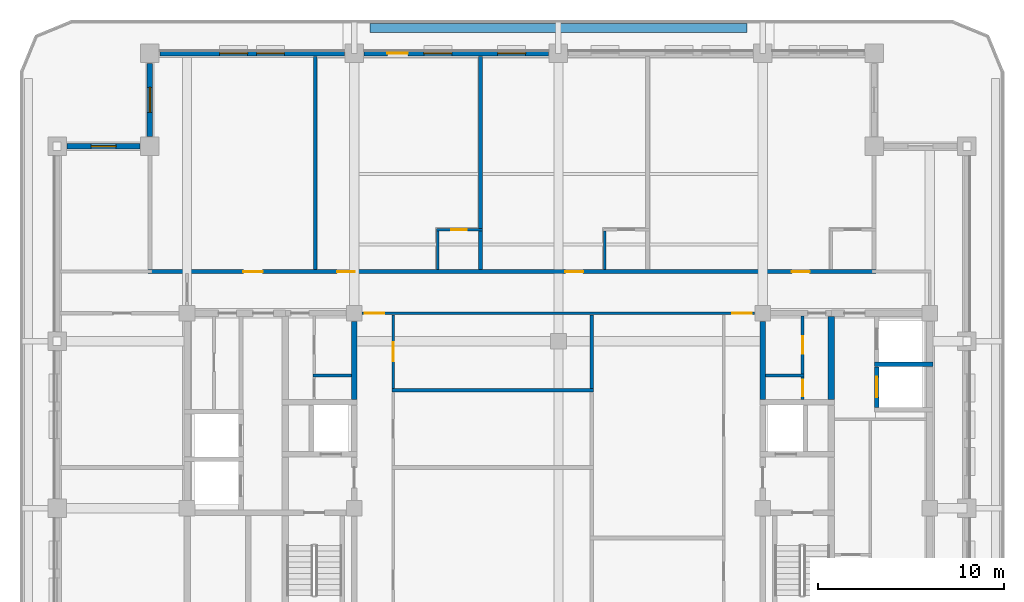
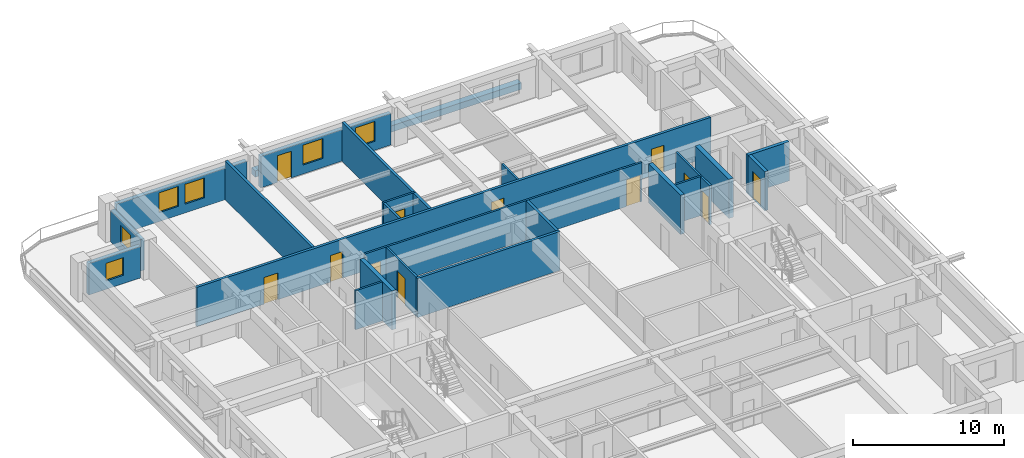
# One storey, part 6 of 14: 25 walls, 12 doors, 6 windows, 18 openings.
"""IFC4 building model written with IfcOpenShell, lengths in metres."""

import ifcopenshell
import ifcopenshell.guid

model = None  # the IFC model being written
_history = None  # IfcOwnerHistory: only IFC2X3 demands one
_inside = {}  # id of a spatial element -> (the spatial element, [elements in it])
_under = {}  # id of a project, library or spatial element -> (it, [spatial elements below it])
_declared = {}  # id of a project -> (the project, [libraries it declares])
_typed = {}  # id of a type object -> (the type object, [elements of that type])
_made_of = {}  # id of a material, layer set ... -> (it, [elements and type objects made of it])


def new_model(schema):
    """Start an empty IFC model of exactly this schema.

    Asked for "IFC4X3", IfcOpenShell would pick the latest addendum, in which some entities
    have other attributes; the version numbers below select the first issue.
    IFC2X3 requires an IfcOwnerHistory on every rooted entity: one is made here for all.
    """
    global model, _history
    if schema == "IFC4X3":
        model = ifcopenshell.file(schema_version=(4, 3, 0, 0))
    else:
        model = ifcopenshell.file(schema=schema)
    _inside.clear()
    _under.clear()
    _declared.clear()
    _typed.clear()
    _made_of.clear()
    _history = None
    if model.schema == "IFC2X3":
        org = make("IfcOrganization", Name="unknown")
        user = make(
            "IfcPersonAndOrganization",
            ThePerson=make("IfcPerson", FamilyName="unknown"),
            TheOrganization=org,
        )
        app = make(
            "IfcApplication",
            ApplicationDeveloper=org,
            Version="unknown",
            ApplicationFullName="unknown",
            ApplicationIdentifier="unknown",
        )
        _history = make(
            "IfcOwnerHistory",
            OwningUser=user,
            OwningApplication=app,
            ChangeAction="ADDED",
            CreationDate=0,
        )
    return model


def make(cls, **values):
    """One entity of the class cls with the attributes given. An attribute that is None is left unset."""
    return model.create_entity(
        cls, **{name: value for name, value in values.items() if value is not None}
    )


def rooted(cls, **values):
    """An entity with a GlobalId (a new one), such as an element, a storey or a relation."""
    return make(cls, GlobalId=ifcopenshell.guid.new(), OwnerHistory=_history, **values)


def si_unit(unit_type, name, prefix=None):
    """IfcSIUnit, for example si_unit("LENGTHUNIT", "METRE", prefix="MILLI")."""
    return make("IfcSIUnit", UnitType=unit_type, Prefix=prefix, Name=name)


def assignment(units):
    """IfcUnitAssignment: the units of a project."""
    return None if units is None else make("IfcUnitAssignment", Units=units)


def point(xyz):
    """IfcCartesianPoint."""
    return None if xyz is None else make("IfcCartesianPoint", Coordinates=xyz)


def direction(xyz):
    """IfcDirection."""
    return None if xyz is None else make("IfcDirection", DirectionRatios=xyz)


def frame(location, z_axis=None, x_axis=None):
    """IfcAxis2Placement3D, a coordinate frame: its origin and axes. An axis left out is left unset."""
    return make(
        "IfcAxis2Placement3D",
        Location=point(location),
        Axis=direction(z_axis),
        RefDirection=direction(x_axis),
    )


def frame_2d(location, x_axis=None):
    """IfcAxis2Placement2D, a coordinate frame in the plane: its origin and x axis."""
    return make(
        "IfcAxis2Placement2D", Location=point(location), RefDirection=direction(x_axis)
    )


def origin():
    """The frame at (0, 0, 0) with its axes left unset."""
    return frame((0.0, 0.0, 0.0))


def place(relative_to, where):
    """IfcLocalPlacement: puts the frame where relative to a parent placement (None: the world)."""
    return make(
        "IfcLocalPlacement", PlacementRelTo=relative_to, RelativePlacement=where
    )


def context(
    kind, dimensions, precision=None, world=None, true_north=None, identifier=None
):
    """IfcGeometricRepresentationContext, for example the 3D "Model" context."""
    return make(
        "IfcGeometricRepresentationContext",
        ContextIdentifier=identifier,
        ContextType=kind,
        CoordinateSpaceDimension=dimensions,
        Precision=precision,
        WorldCoordinateSystem=world,
        TrueNorth=true_north,
    )


def subcontext(parent, identifier, kind, view, scale=None):
    """IfcGeometricRepresentationSubContext, for example "Body" below "Model"."""
    return make(
        "IfcGeometricRepresentationSubContext",
        ContextIdentifier=identifier,
        ContextType=kind,
        ParentContext=parent,
        TargetScale=scale,
        TargetView=view,
    )


def project(units=None, contexts=None):
    """IfcProject with its units and contexts."""
    return rooted(
        "IfcProject",
        Name="project",
        RepresentationContexts=contexts,
        UnitsInContext=assignment(units),
    )


def spatial(cls, under=None, at=None, **own):
    """A site, building, storey or space (cls), placed at a placement, below another one or the project."""
    s = rooted(cls, ObjectPlacement=at, **own)
    if under is not None:
        _under.setdefault(under.id(), (under, []))[1].append(s)
    return s


def profile(cls, at=None, kind="AREA", **sizes):
    """A parametric profile (cls). Its sizes go by their IFC names, for example OverallWidth=200.0."""
    return make(cls, ProfileType=kind, Position=at, **sizes)


def rectangle(**sizes):
    """IfcRectangleProfileDef."""
    return profile("IfcRectangleProfileDef", **sizes)


def extrude(swept, where, along, depth):
    """IfcExtrudedAreaSolid: the profile swept, set in the frame where, extruded along a direction by depth."""
    return make(
        "IfcExtrudedAreaSolid",
        SweptArea=swept,
        Position=where,
        ExtrudedDirection=direction(along),
        Depth=depth,
    )


def shape(context_of_items, identifier, shape_type, items):
    """IfcShapeRepresentation: the items that make up one representation, for example the "Body"."""
    return make(
        "IfcShapeRepresentation",
        ContextOfItems=context_of_items,
        RepresentationIdentifier=identifier,
        RepresentationType=shape_type,
        Items=items,
    )


def material(Name=None, Category=None):
    """IfcMaterial."""
    return make("IfcMaterial", Name=Name, Category=Category)


def layer(
    of_material, thickness, ventilated=None, Name=None, Category=None, Priority=None
):
    """IfcMaterialLayer: one layer of a wall or slab, of a material (None: an air gap)."""
    return make(
        "IfcMaterialLayer",
        Material=of_material,
        LayerThickness=thickness,
        IsVentilated=ventilated,
        Name=Name,
        Category=Category,
        Priority=Priority,
    )


def layer_set(layers, Name=None):
    """IfcMaterialLayerSet."""
    return make("IfcMaterialLayerSet", MaterialLayers=layers, LayerSetName=Name)


def made_of(thing, what):
    """Note that an element or type object is made of a material, layer set ...; save() writes the relation."""
    if what is not None:
        _made_of.setdefault(what.id(), (what, []))[1].append(thing)
    return thing


def type_object(cls, material=None, **own):
    """A type object (cls), such as IfcWallType, which elements share."""
    return made_of(rooted(cls, **own), material)


def element(
    cls,
    number,
    at=None,
    inside=None,
    cuts=None,
    type_object=None,
    material=None,
    context=None,
    identifier="Body",
    shape_type=None,
    held_by="IfcProductDefinitionShape",
    body=None,
    shapes=None,
    **own,
):
    """One element of the class cls, such as IfcWall. Its Tag is "e" and its number.

    at: its placement. inside: the storey or other place that contains it. cuts: it is an
    opening in that element (IfcRelVoidsElement). A single representation is given by context,
    identifier, shape_type and body (its items); several are given by shapes. held_by: the class
    of the entity that holds the representations. save() writes the other relations.
    """
    e = rooted(cls, Tag="e%d" % number, ObjectPlacement=at, **own)
    if body is not None:
        shapes = [shape(context, identifier, shape_type, body)]
    if shapes is not None:
        e.Representation = make(held_by, Representations=shapes)
    if inside is not None:
        _inside.setdefault(inside.id(), (inside, []))[1].append(e)
    if cuts is not None:
        rooted(
            "IfcRelVoidsElement", RelatingBuildingElement=cuts, RelatedOpeningElement=e
        )
    if type_object is not None:
        _typed.setdefault(type_object.id(), (type_object, []))[1].append(e)
    return made_of(e, material)


def fill(opening, filler):
    """IfcRelFillsElement: the door or window that sits in an opening."""
    return rooted(
        "IfcRelFillsElement",
        RelatingOpeningElement=opening,
        RelatedBuildingElement=filler,
    )


def aggregate(whole, parts):
    """IfcRelAggregates: a whole, such as a stair, and the parts it consists of."""
    return rooted("IfcRelAggregates", RelatingObject=whole, RelatedObjects=parts)


def save(model, path):
    """Write the relations noted so far, then the file.

    IfcRelAggregates (storeys below a building ...), IfcRelContainedInSpatialStructure (elements
    in a storey), IfcRelDefinesByType, IfcRelAssociatesMaterial and IfcRelDeclares: one each for
    every whole, place, type object, material and project.
    """
    for whole, parts in _under.values():
        aggregate(whole, parts)
    for where, things in _inside.values():
        rooted(
            "IfcRelContainedInSpatialStructure",
            RelatedElements=things,
            RelatingStructure=where,
        )
    for kind, things in _typed.values():
        rooted("IfcRelDefinesByType", RelatedObjects=things, RelatingType=kind)
    for what, things in _made_of.values():
        rooted("IfcRelAssociatesMaterial", RelatedObjects=things, RelatingMaterial=what)
    for by, libraries in _declared.values():
        rooted("IfcRelDeclares", RelatingContext=by, RelatedDefinitions=libraries)
    model.write(path)


model = new_model("IFC4")

# Units and contexts
model_context = context("Model", 3, precision=1e-05, world=origin(), true_north=direction((0.0, 1.0)))
body_context = subcontext(model_context, "Body", "Model", "MODEL_VIEW")
ifc_project = project(units=[si_unit("LENGTHUNIT", "METRE"), si_unit("AREAUNIT", "SQUARE_METRE"), si_unit("VOLUMEUNIT", "CUBIC_METRE"), si_unit("PLANEANGLEUNIT", "RADIAN"), si_unit("MASSUNIT", "GRAM", prefix="KILO")], contexts=[model_context])

# Site, building, storey
site_placement = place(None, origin())
site = spatial("IfcSite", under=ifc_project, at=site_placement, CompositionType="ELEMENT")
building_placement = place(site_placement, origin())
building = spatial("IfcBuilding", under=site, at=building_placement, Name="Zulmaris Gate Convention Tower", CompositionType="ELEMENT")
storey_placement = place(building_placement, frame((0.0, 0.0, 205.06005859375)))
storey = spatial("IfcBuildingStorey", under=building, at=storey_placement, Name="L53", CompositionType="ELEMENT", Elevation=205.06005859375)

# Wall
ifc_material_1 = material(Name="Concrete C50/60", Category="concrete")
ifc_layer_1 = layer(ifc_material_1, 0.25, Name="Concrete C50/60")
ifc_layer_set_1 = layer_set([ifc_layer_1], Name="Concrete C50/60")
wall_type_1 = type_object("IfcWallType", Name="CORE-250", PredefinedType="SOLIDWALL", material=ifc_layer_set_1)
wall_1_placement = place(storey_placement, frame((17.02490234375, 7.75, 0.0), z_axis=(0.0, 0.0, 1.0), x_axis=(1.0, 0.0, 0.0)))
element("IfcWall", 1, at=wall_1_placement, inside=storey, type_object=wall_type_1, Name="WL-L53-014", PredefinedType="SOLIDWALL", context=body_context, shape_type="SweptSolid", body=[
    extrude(rectangle(XDim=3.150146484375, YDim=0.25, at=frame_2d((1.5751953125, 0.0))), origin(), (0.0, 0.0, 1.0), 3.14990234375),
])

# Wall, opening, door
wall_2_placement = place(storey_placement, frame((17.14990234375, 5.427001953125, 0.0), z_axis=(0.0, 0.0, 1.0), x_axis=(0.0, 1.0, 0.0)))
wall_2 = element("IfcWall", 2, at=wall_2_placement, inside=storey, type_object=wall_type_1, Name="WL-L53-072", PredefinedType="SOLIDWALL", context=body_context, shape_type="SweptSolid", body=[
    extrude(rectangle(XDim=2.196044921875, YDim=0.25, at=frame_2d((1.09814453125, 0.0))), origin(), (0.0, 0.0, 1.0), 3.14990234375),
])
opening_1_placement = place(wall_2_placement, frame((0.548095703125, 0.0, 0.0)))
opening_1 = element("IfcOpeningElement", 3, at=opening_1_placement, cuts=wall_2, Name="Opening D-06", PredefinedType="OPENING", context=body_context, shape_type="SweptSolid", body=[
    extrude(rectangle(XDim=1.10009765625, YDim=2.199951171875, at=frame_2d((0.550048828125, 1.10009765625))), frame((0.0, 0.135009765625, 0.0), z_axis=(0.0, -1.0, 0.0), x_axis=(1.0, 0.0, 0.0)), (0.0, 0.0, 1.0), 0.27001953125),
])
ifc_material_2 = material(Name="Brushed Stainless Steel", Category="steel")
door_type_1 = type_object("IfcDoorType", Name="LD-1100", OperationType="NOTDEFINED", PredefinedType="DOOR", material=ifc_material_2)
door_1_placement = place(opening_1_placement, origin())
door_1 = element("IfcDoor", 4, at=door_1_placement, inside=storey, type_object=door_type_1, Name="L53 Lift Landing Door HP-01 19", OperationType="SLIDING_TO_RIGHT", OverallHeight=2.199951171875, OverallWidth=1.10009765625, PredefinedType="DOOR", context=body_context, shape_type="SweptSolid", body=[
    extrude(rectangle(XDim=1.10009765625, YDim=2.199951171875, at=frame_2d((0.550048828125, 1.10009765625))), frame((0.0, 0.02490234375, 0.0), z_axis=(0.0, -1.0, 0.0), x_axis=(1.0, 0.0, 0.0)), (0.0, 0.0, 1.0), 0.050048828125),
])
fill(opening_1, door_1)

# Walls
ifc_layer_2 = layer(ifc_material_1, 0.300048828125, Name="Concrete C50/60")
ifc_layer_set_2 = layer_set([ifc_layer_2], Name="Concrete C50/60")
wall_type_2 = type_object("IfcWallType", Name="CORE-300", PredefinedType="SHEAR", material=ifc_layer_set_2)
for number, where, z_axis, x_axis, name in (
    (5, (-11.0, 5.85205078125, 0.0), (0.0, 0.0, 1.0), (0.0, 1.0, 0.0), "WL-L53-061"),
    (6, (11.0, 5.85205078125, 0.0), (0.0, 0.0, 1.0), (0.0, 1.0, 0.0), "WL-L53-065"),
):
    element("IfcWall", number, at=place(storey_placement, frame(where, z_axis=z_axis, x_axis=x_axis)), inside=storey, type_object=wall_type_2, Name=name, PredefinedType="SHEAR", context=body_context, shape_type="SweptSolid", body=[
        extrude(rectangle(XDim=4.218994140625, YDim=0.300048828125, at=frame_2d((2.109375, 0.0))), origin(), (0.0, 0.0, 1.0), 3.14990234375),
    ])
ifc_material_3 = material(Name="Concrete C55/67", Category="concrete")
ifc_layer_3 = layer(ifc_material_3, 0.35009765625, Name="Concrete C55/67")
ifc_layer_set_3 = layer_set([ifc_layer_3], Name="Concrete C55/67")
wall_type_3 = type_object("IfcWallType", Name="CORE-350", PredefinedType="SHEAR", material=ifc_layer_set_3)
wall_3_placement = place(storey_placement, frame((14.699951171875, 5.85205078125, 0.0), z_axis=(0.0, 0.0, 1.0), x_axis=(0.0, 1.0, 0.0)))
element("IfcWall", 7, at=wall_3_placement, inside=storey, type_object=wall_type_3, Name="WL-L53-071", PredefinedType="SHEAR", context=body_context, shape_type="SweptSolid", body=[
    extrude(rectangle(XDim=4.470947265625, YDim=0.35009765625, at=frame_2d((2.2353515625, 0.0))), origin(), (0.0, 0.0, 1.0), 3.14990234375),
])
ifc_material_4 = material(Name="Gypsum Metal Stud Partition")
ifc_layer_4 = layer(ifc_material_4, 0.14990234375, Name="Gypsum Metal Stud Partition")
ifc_layer_set_4 = layer_set([ifc_layer_4], Name="Gypsum Metal Stud Partition")
wall_type_4 = type_object("IfcWallType", Name="PART-150", PredefinedType="PARTITIONING", material=ifc_layer_set_4)
for number, where, z_axis, x_axis, name in (
    (8, (-13.22509765625, 7.14990234375, 0.0), (0.0, 0.0, 1.0), (1.0, 0.0, 0.0), "WL-L53-035"),
    (9, (11.153076171875, 7.14990234375, 0.0), (0.0, 0.0, 1.0), (1.0, 0.0, 0.0), "WL-L53-036"),
):
    element("IfcWall", number, at=place(storey_placement, frame(where, z_axis=z_axis, x_axis=x_axis)), inside=storey, type_object=wall_type_4, Name=name, PredefinedType="PARTITIONING", context=body_context, shape_type="SweptSolid", body=[
        extrude(rectangle(XDim=2.072021484375, YDim=0.14990234375, at=frame_2d((1.0361328125, 0.0))), origin(), (0.0, 0.0, 1.0), 3.14990234375),
    ])

# Wall, openings, doors
wall_4_placement = place(storey_placement, frame((-10.569091796875, 10.5, 0.0), z_axis=(0.0, 0.0, 1.0), x_axis=(1.0, 0.0, 0.0)))
wall_4 = element("IfcWall", 10, at=wall_4_placement, inside=storey, type_object=wall_type_4, Name="WL-L53-038", PredefinedType="PARTITIONING", context=body_context, shape_type="SweptSolid", body=[
    extrude(rectangle(XDim=21.13818359375, YDim=0.14990234375, at=frame_2d((10.569091796875, 0.0))), origin(), (0.0, 0.0, 1.0), 3.14990234375),
])
opening_2_placement = place(wall_4_placement, frame((0.14990234375, 0.0, 0.0)))
opening_2 = element("IfcOpeningElement", 11, at=opening_2_placement, cuts=wall_4, Name="Opening D-09", PredefinedType="OPENING", context=body_context, shape_type="SweptSolid", body=[
    extrude(rectangle(XDim=1.050048828125, YDim=2.14990234375, at=frame_2d((0.52490234375, 1.074951171875))), frame((0.0, 0.0849609375, 0.0), z_axis=(0.0, -1.0, 0.0), x_axis=(1.0, 0.0, 0.0)), (0.0, 0.0, 1.0), 0.169921875),
])
opening_3_placement = place(wall_4_placement, frame((19.93798828125, 0.0, 0.0)))
opening_3 = element("IfcOpeningElement", 12, at=opening_3_placement, cuts=wall_4, Name="Opening D-09", PredefinedType="OPENING", context=body_context, shape_type="SweptSolid", body=[
    extrude(rectangle(XDim=1.050048828125, YDim=2.14990234375, at=frame_2d((0.52490234375, 1.074951171875))), frame((0.0, 0.0849609375, 0.0), z_axis=(0.0, -1.0, 0.0), x_axis=(1.0, 0.0, 0.0)), (0.0, 0.0, 1.0), 0.169921875),
])
ifc_material_5 = material(Name="Fire-Rated Steel", Category="steel")
door_type_2 = type_object("IfcDoorType", Name="DR-1050-FD", OperationType="NOTDEFINED", PredefinedType="DOOR", material=ifc_material_5)
door_2_placement = place(opening_2_placement, origin())
door_2 = element("IfcDoor", 13, at=door_2_placement, inside=storey, type_object=door_type_2, Name="L53 NW Hotel Loop Door 25", OperationType="SINGLE_SWING_RIGHT", OverallHeight=2.14990234375, OverallWidth=1.050048828125, PredefinedType="DOOR", context=body_context, shape_type="SweptSolid", body=[
    extrude(rectangle(XDim=1.050048828125, YDim=2.14990234375, at=frame_2d((0.52490234375, 1.074951171875))), frame((0.0, 0.02490234375, 0.0), z_axis=(0.0, -1.0, 0.0), x_axis=(1.0, 0.0, 0.0)), (0.0, 0.0, 1.0), 0.050048828125),
])
fill(opening_2, door_2)
door_3_placement = place(opening_3_placement, origin())
door_3 = element("IfcDoor", 14, at=door_3_placement, inside=storey, type_object=door_type_2, Name="L53 NE Hotel Loop Door 27", OperationType="SINGLE_SWING_RIGHT", OverallHeight=2.14990234375, OverallWidth=1.050048828125, PredefinedType="DOOR", context=body_context, shape_type="SweptSolid", body=[
    extrude(rectangle(XDim=1.050048828125, YDim=2.14990234375, at=frame_2d((0.52490234375, 1.074951171875))), frame((0.0, 0.02490234375, 0.0), z_axis=(0.0, -1.0, 0.0), x_axis=(1.0, 0.0, 0.0)), (0.0, 0.0, 1.0), 0.050048828125),
])
fill(opening_3, door_3)

# Wall, opening, door
wall_5_placement = place(storey_placement, frame((-6.574951171875, 15.0, 0.0), z_axis=(0.0, 0.0, 1.0), x_axis=(1.0, 0.0, 0.0)))
wall_5 = element("IfcWall", 15, at=wall_5_placement, inside=storey, type_object=wall_type_4, Name="WL-L53-042", PredefinedType="PARTITIONING", context=body_context, shape_type="SweptSolid", body=[
    extrude(rectangle(XDim=2.474853515625, YDim=0.14990234375, at=frame_2d((1.2373046875, 0.0))), origin(), (0.0, 0.0, 1.0), 3.14990234375),
])
opening_4_placement = place(wall_5_placement, frame((0.800048828125, 0.0, 0.0)))
opening_4 = element("IfcOpeningElement", 16, at=opening_4_placement, cuts=wall_5, Name="Opening D-17", PredefinedType="OPENING", context=body_context, shape_type="SweptSolid", body=[
    extrude(rectangle(XDim=0.85009765625, YDim=2.10009765625, at=frame_2d((0.425048828125, 1.050048828125))), frame((0.0, 0.0849609375, 0.0), z_axis=(0.0, -1.0, 0.0), x_axis=(1.0, 0.0, 0.0)), (0.0, 0.0, 1.0), 0.169921875),
])
ifc_material_6 = material(Name="Moisture-Resistant Hardwood Timber", Category="wood")
door_type_3 = type_object("IfcDoorType", Name="DR-850", OperationType="NOTDEFINED", PredefinedType="DOOR", material=ifc_material_6)
door_4_placement = place(opening_4_placement, origin())
door_4 = element("IfcDoor", 17, at=door_4_placement, inside=storey, type_object=door_type_3, Name="L53 En-Suite Door 31", OperationType="SINGLE_SWING_RIGHT", OverallHeight=2.10009765625, OverallWidth=0.85009765625, PredefinedType="DOOR", context=body_context, shape_type="SweptSolid", body=[
    extrude(rectangle(XDim=0.85009765625, YDim=2.10009765625, at=frame_2d((0.425048828125, 1.050048828125))), frame((0.0, 0.02490234375, 0.0), z_axis=(0.0, -1.0, 0.0), x_axis=(1.0, 0.0, 0.0)), (0.0, 0.0, 1.0), 0.050048828125),
])
fill(opening_4, door_4)

wall_6_placement = place(storey_placement, frame((-8.89990234375, 6.452880859375, 0.0), z_axis=(0.0, 0.0, 1.0), x_axis=(0.0, 1.0, 0.0)))
wall_6 = element("IfcWall", 18, at=wall_6_placement, inside=storey, type_object=wall_type_4, Name="WL-L53-091", PredefinedType="PARTITIONING", context=body_context, shape_type="SweptSolid", body=[
    extrude(rectangle(XDim=3.96923828125, YDim=0.14990234375, at=frame_2d((1.984619140625, 0.0))), origin(), (0.0, 0.0, 1.0), 3.14990234375),
])
opening_5_placement = place(wall_6_placement, frame((1.47705078125, 0.0, 0.0)))
opening_5 = element("IfcOpeningElement", 19, at=opening_5_placement, cuts=wall_6, Name="Opening D-10", PredefinedType="OPENING", context=body_context, shape_type="SweptSolid", body=[
    extrude(rectangle(XDim=1.0, YDim=2.14990234375, at=frame_2d((0.5, 1.074951171875))), frame((0.0, 0.0849609375, 0.0), z_axis=(0.0, -1.0, 0.0), x_axis=(1.0, 0.0, 0.0)), (0.0, 0.0, 1.0), 0.169921875),
])
ifc_material_7 = material(Name="Fire-Rated Timber", Category="wood")
door_type_4 = type_object("IfcDoorType", Name="DR-1000-FD", OperationType="NOTDEFINED", PredefinedType="DOOR", material=ifc_material_7)
door_5_placement = place(opening_5_placement, origin())
door_5 = element("IfcDoor", 20, at=door_5_placement, inside=storey, type_object=door_type_4, Name="L53 Club Lounge Door 44", OperationType="SINGLE_SWING_LEFT", OverallHeight=2.14990234375, OverallWidth=1.0, PredefinedType="DOOR", context=body_context, shape_type="SweptSolid", body=[
    extrude(rectangle(XDim=1.0, YDim=2.14990234375, at=frame_2d((0.5, 1.074951171875))), frame((0.0, 0.02490234375, 0.0), z_axis=(0.0, -1.0, 0.0), x_axis=(1.0, 0.0, 0.0)), (0.0, 0.0, 1.0), 0.050048828125),
])
fill(opening_5, door_5)

# Walls
for number, where, z_axis, x_axis, name in (
    (21, (-6.5, 12.85302734375, 0.0), (0.0, 0.0, 1.0), (0.0, 1.0, 0.0), "WL-L53-093"),
    (22, (2.5, 12.85302734375, 0.0), (0.0, 0.0, 1.0), (0.0, 1.0, 0.0), "WL-L53-104"),
):
    element("IfcWall", number, at=place(storey_placement, frame(where, z_axis=z_axis, x_axis=x_axis)), inside=storey, type_object=wall_type_4, Name=name, PredefinedType="PARTITIONING", context=body_context, shape_type="SweptSolid", body=[
        extrude(rectangle(XDim=2.069091796875, YDim=0.14990234375, at=frame_2d((1.03466796875, 0.0))), origin(), (0.0, 0.0, 1.0), 3.14990234375),
    ])

# Wall, opening, door
wall_7_placement = place(storey_placement, frame((13.14990234375, 5.85302734375, 0.0), z_axis=(0.0, 0.0, 1.0), x_axis=(0.0, 1.0, 0.0)))
wall_7 = element("IfcWall", 23, at=wall_7_placement, inside=storey, type_object=wall_type_4, Name="WL-L53-113", PredefinedType="PARTITIONING", context=body_context, shape_type="SweptSolid", body=[
    extrude(rectangle(XDim=1.218994140625, YDim=0.14990234375, at=frame_2d((0.609375, 0.0))), origin(), (0.0, 0.0, 1.0), 3.14990234375),
])
opening_6_placement = place(wall_7_placement, frame((0.1689453125, 0.0, 0.0)))
opening_6 = element("IfcOpeningElement", 24, at=opening_6_placement, cuts=wall_7, Name="Opening D-12", PredefinedType="OPENING", context=body_context, shape_type="SweptSolid", body=[
    extrude(rectangle(XDim=0.89990234375, YDim=2.14990234375, at=frame_2d((0.449951171875, 1.074951171875))), frame((0.0, 0.0849609375, 0.0), z_axis=(0.0, -1.0, 0.0), x_axis=(1.0, 0.0, 0.0)), (0.0, 0.0, 1.0), 0.169921875),
])
door_type_5 = type_object("IfcDoorType", Name="DR-900-FD", OperationType="NOTDEFINED", PredefinedType="DOOR", material=ifc_material_7)
door_6_placement = place(opening_6_placement, origin())
door_6 = element("IfcDoor", 25, at=door_6_placement, inside=storey, type_object=door_type_5, Name="L53 Core Staff WC Door 11", OperationType="SINGLE_SWING_RIGHT", OverallHeight=2.14990234375, OverallWidth=0.89990234375, PredefinedType="DOOR", context=body_context, shape_type="SweptSolid", body=[
    extrude(rectangle(XDim=0.89990234375, YDim=2.14990234375, at=frame_2d((0.449951171875, 1.074951171875))), frame((0.0, 0.02490234375, 0.0), z_axis=(0.0, -1.0, 0.0), x_axis=(1.0, 0.0, 0.0)), (0.0, 0.0, 1.0), 0.050048828125),
])
fill(opening_6, door_6)

wall_8_placement = place(storey_placement, frame((13.14990234375, 7.22802734375, 0.0), z_axis=(0.0, 0.0, 1.0), x_axis=(0.0, 1.0, 0.0)))
wall_8 = element("IfcWall", 26, at=wall_8_placement, inside=storey, type_object=wall_type_4, Name="WL-L53-114", PredefinedType="PARTITIONING", context=body_context, shape_type="SweptSolid", body=[
    extrude(rectangle(XDim=3.118896484375, YDim=0.14990234375, at=frame_2d((1.5595703125, 0.0))), origin(), (0.0, 0.0, 1.0), 3.14990234375),
])
opening_7_placement = place(wall_8_placement, frame((1.096923828125, 0.0, 0.0)))
opening_7 = element("IfcOpeningElement", 27, at=opening_7_placement, cuts=wall_8, Name="Opening D-11", PredefinedType="OPENING", context=body_context, shape_type="SweptSolid", body=[
    extrude(rectangle(XDim=0.949951171875, YDim=2.14990234375, at=frame_2d((0.47509765625, 1.074951171875))), frame((0.0, 0.0849609375, 0.0), z_axis=(0.0, -1.0, 0.0), x_axis=(1.0, 0.0, 0.0)), (0.0, 0.0, 1.0), 0.169921875),
])
door_type_6 = type_object("IfcDoorType", Name="DR-950-FD", OperationType="NOTDEFINED", PredefinedType="DOOR", material=ifc_material_7)
door_7_placement = place(opening_7_placement, origin())
door_7 = element("IfcDoor", 28, at=door_7_placement, inside=storey, type_object=door_type_6, Name="L53 Core Hygiene Store Door 12", OperationType="SINGLE_SWING_LEFT", OverallHeight=2.14990234375, OverallWidth=0.949951171875, PredefinedType="DOOR", context=body_context, shape_type="SweptSolid", body=[
    extrude(rectangle(XDim=0.949951171875, YDim=2.14990234375, at=frame_2d((0.47509765625, 1.074951171875))), frame((0.0, 0.02490234375, 0.0), z_axis=(0.0, -1.0, 0.0), x_axis=(1.0, 0.0, 0.0)), (0.0, 0.0, 1.0), 0.050048828125),
])
fill(opening_7, door_7)

# Wall
ifc_material_8 = material(Name="Autoclaved Aerated Concrete Block and Plasterboard", Category="concrete")
ifc_layer_5 = layer(ifc_material_8, 0.199951171875, Name="Autoclaved Aerated Concrete Block and Plasterboard")
ifc_layer_set_5 = layer_set([ifc_layer_5], Name="Autoclaved Aerated Concrete Block and Plasterboard")
wall_type_5 = type_object("IfcWallType", Name="PART-200", PredefinedType="PARTITIONING", material=ifc_layer_set_5)
wall_9_placement = place(storey_placement, frame((-8.97509765625, 6.35009765625, 0.0), z_axis=(0.0, 0.0, 1.0), x_axis=(1.0, 0.0, 0.0)))
element("IfcWall", 29, at=wall_9_placement, inside=storey, type_object=wall_type_5, Name="WL-L53-034", PredefinedType="PARTITIONING", context=body_context, shape_type="SweptSolid", body=[
    extrude(rectangle(XDim=10.875, YDim=0.199951171875, at=frame_2d((5.4375, 0.0))), origin(), (0.0, 0.0, 1.0), 3.14990234375),
])

# Wall, openings, doors
wall_10_placement = place(storey_placement, frame((-22.10009765625, 12.75, 0.0), z_axis=(0.0, 0.0, 1.0), x_axis=(1.0, 0.0, 0.0)))
wall_10 = element("IfcWall", 30, at=wall_10_placement, inside=storey, type_object=wall_type_5, Name="WL-L53-040", PredefinedType="PARTITIONING", context=body_context, shape_type="SweptSolid", body=[
    extrude(rectangle(XDim=39.2001953125, YDim=0.199951171875, at=frame_2d((19.60009765625, 0.0))), origin(), (0.0, 0.0, 1.0), 3.14990234375),
])
opening_8_placement = place(wall_10_placement, frame((5.125, 0.0, 0.0)))
opening_8 = element("IfcOpeningElement", 31, at=opening_8_placement, cuts=wall_10, Name="Opening D-09", PredefinedType="OPENING", context=body_context, shape_type="SweptSolid", body=[
    extrude(rectangle(XDim=1.050048828125, YDim=2.14990234375, at=frame_2d((0.52490234375, 1.074951171875))), frame((0.0, 0.10986328125, 0.0), z_axis=(0.0, -1.0, 0.0), x_axis=(1.0, 0.0, 0.0)), (0.0, 0.0, 1.0), 0.219970703125),
])
opening_9_placement = place(wall_10_placement, frame((10.175048828125, 0.0, 0.0)))
opening_9 = element("IfcOpeningElement", 32, at=opening_9_placement, cuts=wall_10, Name="Opening D-11", PredefinedType="OPENING", context=body_context, shape_type="SweptSolid", body=[
    extrude(rectangle(XDim=0.949951171875, YDim=2.14990234375, at=frame_2d((0.47509765625, 1.074951171875))), frame((0.0, 0.10986328125, 0.0), z_axis=(0.0, -1.0, 0.0), x_axis=(1.0, 0.0, 0.0)), (0.0, 0.0, 1.0), 0.219970703125),
])
opening_10_placement = place(wall_10_placement, frame((22.47509765625, 0.0, 0.0)))
opening_10 = element("IfcOpeningElement", 33, at=opening_10_placement, cuts=wall_10, Name="Opening D-11", PredefinedType="OPENING", context=body_context, shape_type="SweptSolid", body=[
    extrude(rectangle(XDim=0.949951171875, YDim=2.14990234375, at=frame_2d((0.47509765625, 1.074951171875))), frame((0.0, 0.10986328125, 0.0), z_axis=(0.0, -1.0, 0.0), x_axis=(1.0, 0.0, 0.0)), (0.0, 0.0, 1.0), 0.219970703125),
])
opening_11_placement = place(wall_10_placement, frame((34.675048828125, 0.0, 0.0)))
opening_11 = element("IfcOpeningElement", 34, at=opening_11_placement, cuts=wall_10, Name="Opening D-11", PredefinedType="OPENING", context=body_context, shape_type="SweptSolid", body=[
    extrude(rectangle(XDim=0.949951171875, YDim=2.14990234375, at=frame_2d((0.47509765625, 1.074951171875))), frame((0.0, 0.10986328125, 0.0), z_axis=(0.0, -1.0, 0.0), x_axis=(1.0, 0.0, 0.0)), (0.0, 0.0, 1.0), 0.219970703125),
])
door_8_placement = place(opening_8_placement, origin())
door_8 = element("IfcDoor", 35, at=door_8_placement, inside=storey, type_object=door_type_2, Name="L53 Hotel Diplomatic Reception Salon Door 29", OperationType="SINGLE_SWING_RIGHT", OverallHeight=2.14990234375, OverallWidth=1.050048828125, PredefinedType="DOOR", context=body_context, shape_type="SweptSolid", body=[
    extrude(rectangle(XDim=1.050048828125, YDim=2.14990234375, at=frame_2d((0.52490234375, 1.074951171875))), frame((0.0, 0.02490234375, 0.0), z_axis=(0.0, -1.0, 0.0), x_axis=(1.0, 0.0, 0.0)), (0.0, 0.0, 1.0), 0.050048828125),
])
fill(opening_8, door_8)
door_9_placement = place(opening_9_placement, origin())
door_9 = element("IfcDoor", 36, at=door_9_placement, inside=storey, type_object=door_type_6, Name="L53 Hotel Diplomatic Suite Door 30", OperationType="SINGLE_SWING_LEFT", OverallHeight=2.14990234375, OverallWidth=0.949951171875, PredefinedType="DOOR", context=body_context, shape_type="SweptSolid", body=[
    extrude(rectangle(XDim=0.949951171875, YDim=2.14990234375, at=frame_2d((0.47509765625, 1.074951171875))), frame((0.0, 0.02490234375, 0.0), z_axis=(0.0, -1.0, 0.0), x_axis=(1.0, 0.0, 0.0)), (0.0, 0.0, 1.0), 0.050048828125),
])
fill(opening_9, door_9)
door_10_placement = place(opening_10_placement, origin())
door_10 = element("IfcDoor", 37, at=door_10_placement, inside=storey, type_object=door_type_6, Name="L53 Hotel Diplomatic Suite Door 32", OperationType="SINGLE_SWING_LEFT", OverallHeight=2.14990234375, OverallWidth=0.949951171875, PredefinedType="DOOR", context=body_context, shape_type="SweptSolid", body=[
    extrude(rectangle(XDim=0.949951171875, YDim=2.14990234375, at=frame_2d((0.47509765625, 1.074951171875))), frame((0.0, 0.02490234375, 0.0), z_axis=(0.0, -1.0, 0.0), x_axis=(1.0, 0.0, 0.0)), (0.0, 0.0, 1.0), 0.050048828125),
])
fill(opening_10, door_10)
door_11_placement = place(opening_11_placement, origin())
door_11 = element("IfcDoor", 38, at=door_11_placement, inside=storey, type_object=door_type_6, Name="L53 Hotel Diplomatic Suite Door 34", OperationType="SINGLE_SWING_LEFT", OverallHeight=2.14990234375, OverallWidth=0.949951171875, PredefinedType="DOOR", context=body_context, shape_type="SweptSolid", body=[
    extrude(rectangle(XDim=0.949951171875, YDim=2.14990234375, at=frame_2d((0.47509765625, 1.074951171875))), frame((0.0, 0.02490234375, 0.0), z_axis=(0.0, -1.0, 0.0), x_axis=(1.0, 0.0, 0.0)), (0.0, 0.0, 1.0), 0.050048828125),
])
fill(opening_11, door_11)

# Walls
wall_11_placement = place(storey_placement, frame((-13.10009765625, 12.85302734375, 0.0), z_axis=(0.0, 0.0, 1.0), x_axis=(0.0, 1.0, 0.0)))
element("IfcWall", 39, at=wall_11_placement, inside=storey, type_object=wall_type_5, Name="WL-L53-088", PredefinedType="PARTITIONING", context=body_context, shape_type="SweptSolid", body=[
    extrude(rectangle(XDim=11.48193359375, YDim=0.199951171875, at=frame_2d((5.740966796875, 0.0))), origin(), (0.0, 0.0, 1.0), 3.14990234375),
])
wall_12_placement = place(storey_placement, frame((-4.199951171875, 12.85302734375, 0.0), z_axis=(0.0, 0.0, 1.0), x_axis=(0.0, 1.0, 0.0)))
element("IfcWall", 40, at=wall_12_placement, inside=storey, type_object=wall_type_5, Name="WL-L53-096", PredefinedType="PARTITIONING", context=body_context, shape_type="SweptSolid", body=[
    extrude(rectangle(XDim=2.069091796875, YDim=0.199951171875, at=frame_2d((1.03466796875, 0.0))), origin(), (0.0, 0.0, 1.0), 3.14990234375),
])
wall_13_placement = place(storey_placement, frame((-4.199951171875, 15.077880859375, 0.0), z_axis=(0.0, 0.0, 1.0), x_axis=(0.0, 1.0, 0.0)))
element("IfcWall", 41, at=wall_13_placement, inside=storey, type_object=wall_type_5, Name="WL-L53-097", PredefinedType="PARTITIONING", context=body_context, shape_type="SweptSolid", body=[
    extrude(rectangle(XDim=9.257080078125, YDim=0.199951171875, at=frame_2d((4.62841796875, 0.0))), origin(), (0.0, 0.0, 1.0), 3.14990234375),
])
wall_14_placement = place(storey_placement, frame((1.800048828125, 6.452880859375, 0.0), z_axis=(0.0, 0.0, 1.0), x_axis=(0.0, 1.0, 0.0)))
element("IfcWall", 42, at=wall_14_placement, inside=storey, type_object=wall_type_5, Name="WL-L53-102", PredefinedType="PARTITIONING", context=body_context, shape_type="SweptSolid", body=[
    extrude(rectangle(XDim=3.96923828125, YDim=0.199951171875, at=frame_2d((1.984619140625, 0.0))), origin(), (0.0, 0.0, 1.0), 3.14990234375),
])
ifc_material_9 = material(Name="Botanical Green Glazed Precast Concrete C40/50", Category="concrete")
ifc_layer_6 = layer(ifc_material_9, 0.419921875, Name="Botanical Green Glazed Precast Concrete C40/50")
ifc_layer_set_6 = layer_set([ifc_layer_6], Name="Botanical Green Glazed Precast Concrete C40/50")
wall_type_6 = type_object("IfcWallType", Name="PLANTER-CURB-200", PredefinedType="PARAPET", material=ifc_layer_set_6)
wall_15_placement = place(storey_placement, frame((-10.14990234375, 25.8798828125, -0.0400390625), z_axis=(0.0, 0.0, 1.0), x_axis=(1.0, 0.0, 0.0)))
element("IfcWall", 43, at=wall_15_placement, inside=storey, type_object=wall_type_6, Name="L53 Full-Length Balcony Tree Planter Trough", PredefinedType="PARAPET", context=body_context, shape_type="SweptSolid", body=[
    extrude(rectangle(XDim=20.2998046875, YDim=0.47998046875, at=frame_2d((10.14990234375, 0.0))), origin(), (0.0, 0.0, 1.0), 0.52001953125),
])

# Wall, opening, window
ifc_material_10 = material(Name="Precast concrete C40/50", Category="concrete")
ifc_layer_7 = layer(ifc_material_10, 0.300048828125, Name="Precast concrete C40/50")
ifc_layer_set_7 = layer_set([ifc_layer_7], Name="Precast concrete C40/50")
wall_type_7 = type_object("IfcWallType", Name="PRECAST-PIER-300", PredefinedType="STANDARD", material=ifc_layer_set_7)
wall_16_placement = place(storey_placement, frame((-22.0, 23.969970703125, 0.0), z_axis=(0.0, 0.0, 1.0), x_axis=(0.0, -1.0, 0.0)))
wall_16 = element("IfcWall", 44, at=wall_16_placement, inside=storey, type_object=wall_type_7, Name="EW-L53-NOTCH-NW1_0", PredefinedType="STANDARD", context=body_context, shape_type="SweptSolid", body=[
    extrude(rectangle(XDim=3.93994140625, YDim=0.300048828125, at=frame_2d((1.969970703125, 0.0))), origin(), (0.0, 0.0, 1.0), 2.5419921875),
])
opening_12_placement = place(wall_16_placement, frame((1.294921875, 0.0, 0.679931640625)))
opening_12 = element("IfcOpeningElement", 45, at=opening_12_placement, cuts=wall_16, Name="Opening W-10", PredefinedType="OPENING", context=body_context, shape_type="SweptSolid", body=[
    extrude(rectangle(XDim=1.35009765625, YDim=1.419921875, at=frame_2d((0.675048828125, 0.7099609375))), frame((0.0, 0.16015625, 0.0), z_axis=(0.0, -1.0, 0.0), x_axis=(1.0, 0.0, 0.0)), (0.0, 0.0, 1.0), 0.320068359375),
])
ifc_material_11 = material(Name="Low-E Laminated Double Glazing in Aluminium Frame", Category="aluminium")
window_type_1 = type_object("IfcWindowType", Name="WIN-1350x2000", PartitioningType="SINGLE_PANEL", PredefinedType="WINDOW", material=ifc_material_11)
window_1_placement = place(opening_12_placement, origin())
window_1 = element("IfcWindow", 46, at=window_1_placement, inside=storey, type_object=window_type_1, Name="WN-EW-L53-NOTCH-NW1_0", OverallHeight=1.419921875, OverallWidth=1.35009765625, PartitioningType="SINGLE_PANEL", PredefinedType="WINDOW", context=body_context, shape_type="SweptSolid", body=[
    extrude(rectangle(XDim=1.35009765625, YDim=1.419921875, at=frame_2d((0.675048828125, 0.7099609375))), frame((0.0, 0.030029296875, 0.0), z_axis=(0.0, -1.0, 0.0), x_axis=(1.0, 0.0, 0.0)), (0.0, 0.0, 1.0), 0.06005859375),
])
fill(opening_12, window_1)

wall_17_placement = place(storey_placement, frame((-22.530029296875, 19.5, 0.0), z_axis=(0.0, 0.0, 1.0), x_axis=(-1.0, 0.0, 0.0)))
wall_17 = element("IfcWall", 47, at=wall_17_placement, inside=storey, type_object=wall_type_7, Name="EW-L53-NOTCH-NW2_0", PredefinedType="STANDARD", context=body_context, shape_type="SweptSolid", body=[
    extrude(rectangle(XDim=3.93994140625, YDim=0.300048828125, at=frame_2d((1.969970703125, 0.0))), origin(), (0.0, 0.0, 1.0), 2.5419921875),
])
opening_13_placement = place(wall_17_placement, frame((1.294921875, 0.0, 0.679931640625)))
opening_13 = element("IfcOpeningElement", 48, at=opening_13_placement, cuts=wall_17, Name="Opening W-10", PredefinedType="OPENING", context=body_context, shape_type="SweptSolid", body=[
    extrude(rectangle(XDim=1.35009765625, YDim=1.419921875, at=frame_2d((0.675048828125, 0.7099609375))), frame((0.0, 0.16015625, 0.0), z_axis=(0.0, -1.0, 0.0), x_axis=(1.0, 0.0, 0.0)), (0.0, 0.0, 1.0), 0.320068359375),
])
window_2_placement = place(opening_13_placement, origin())
window_2 = element("IfcWindow", 49, at=window_2_placement, inside=storey, type_object=window_type_1, Name="WN-EW-L53-NOTCH-NW2_0", OverallHeight=1.419921875, OverallWidth=1.35009765625, PartitioningType="SINGLE_PANEL", PredefinedType="WINDOW", context=body_context, shape_type="SweptSolid", body=[
    extrude(rectangle(XDim=1.35009765625, YDim=1.419921875, at=frame_2d((0.675048828125, 0.7099609375))), frame((0.0, 0.030029296875, 0.0), z_axis=(0.0, -1.0, 0.0), x_axis=(1.0, 0.0, 0.0)), (0.0, 0.0, 1.0), 0.06005859375),
])
fill(opening_13, window_2)

# Wall, openings, windows
wall_18_placement = place(storey_placement, frame((-11.530029296875, 24.5, 0.0), z_axis=(0.0, 0.0, 1.0), x_axis=(-1.0, 0.0, 0.0)))
wall_18 = element("IfcWall", 50, at=wall_18_placement, inside=storey, type_object=wall_type_7, Name="EW-L53-N-0_0", PredefinedType="STANDARD", context=body_context, shape_type="SweptSolid", body=[
    extrude(rectangle(XDim=9.93994140625, YDim=0.300048828125, at=frame_2d((4.969970703125, 0.0))), origin(), (0.0, 0.0, 1.0), 2.5419921875),
])
opening_14_placement = place(wall_18_placement, frame((3.22607421875, 0.0, 0.719970703125)))
opening_14 = element("IfcOpeningElement", 51, at=opening_14_placement, cuts=wall_18, Name="Opening W-03", PredefinedType="OPENING", context=body_context, shape_type="SweptSolid", body=[
    extrude(rectangle(XDim=1.5, YDim=1.60009765625, at=frame_2d((0.75, 0.800048828125))), frame((0.0, 0.16015625, 0.0), z_axis=(0.0, -1.0, 0.0), x_axis=(1.0, 0.0, 0.0)), (0.0, 0.0, 1.0), 0.320068359375),
])
opening_15_placement = place(wall_18_placement, frame((5.214111328125, 0.0, 0.719970703125)))
opening_15 = element("IfcOpeningElement", 52, at=opening_15_placement, cuts=wall_18, Name="Opening W-03", PredefinedType="OPENING", context=body_context, shape_type="SweptSolid", body=[
    extrude(rectangle(XDim=1.5, YDim=1.60009765625, at=frame_2d((0.75, 0.800048828125))), frame((0.0, 0.16015625, 0.0), z_axis=(0.0, -1.0, 0.0), x_axis=(1.0, 0.0, 0.0)), (0.0, 0.0, 1.0), 0.320068359375),
])
window_type_2 = type_object("IfcWindowType", Name="WIN-1500x2100", PartitioningType="SINGLE_PANEL", PredefinedType="WINDOW", material=ifc_material_11)
window_3_placement = place(opening_14_placement, origin())
window_3 = element("IfcWindow", 53, at=window_3_placement, inside=storey, type_object=window_type_2, Name="WN-EW-L53-N-0_0-2", OverallHeight=1.60009765625, OverallWidth=1.5, PartitioningType="SINGLE_PANEL", PredefinedType="WINDOW", context=body_context, shape_type="SweptSolid", body=[
    extrude(rectangle(XDim=1.5, YDim=1.60009765625, at=frame_2d((0.75, 0.800048828125))), frame((0.0, 0.030029296875, 0.0), z_axis=(0.0, -1.0, 0.0), x_axis=(1.0, 0.0, 0.0)), (0.0, 0.0, 1.0), 0.06005859375),
])
fill(opening_14, window_3)
window_4_placement = place(opening_15_placement, origin())
window_4 = element("IfcWindow", 54, at=window_4_placement, inside=storey, type_object=window_type_2, Name="WN-EW-L53-N-0_0-3", OverallHeight=1.60009765625, OverallWidth=1.5, PartitioningType="SINGLE_PANEL", PredefinedType="WINDOW", context=body_context, shape_type="SweptSolid", body=[
    extrude(rectangle(XDim=1.5, YDim=1.60009765625, at=frame_2d((0.75, 0.800048828125))), frame((0.0, 0.030029296875, 0.0), z_axis=(0.0, -1.0, 0.0), x_axis=(1.0, 0.0, 0.0)), (0.0, 0.0, 1.0), 0.06005859375),
])
fill(opening_15, window_4)

# Wall, openings, door, windows
wall_19_placement = place(storey_placement, frame((-0.530029296875, 24.5, 0.0), z_axis=(0.0, 0.0, 1.0), x_axis=(-1.0, 0.0, 0.0)))
wall_19 = element("IfcWall", 55, at=wall_19_placement, inside=storey, type_object=wall_type_7, Name="EW-L53-N-1_0", PredefinedType="STANDARD", context=body_context, shape_type="SweptSolid", body=[
    extrude(rectangle(XDim=9.93994140625, YDim=0.300048828125, at=frame_2d((4.969970703125, 0.0))), origin(), (0.0, 0.0, 1.0), 2.5419921875),
])
opening_16_placement = place(wall_19_placement, frame((7.5849609375, 0.0, 0.0)))
opening_16 = element("IfcOpeningElement", 56, at=opening_16_placement, cuts=wall_19, Name="Opening D-04", PredefinedType="OPENING", context=body_context, shape_type="SweptSolid", body=[
    extrude(rectangle(XDim=1.10009765625, YDim=2.14990234375, at=frame_2d((0.550048828125, 1.074951171875))), frame((0.0, 0.16015625, 0.0), z_axis=(0.0, -1.0, 0.0), x_axis=(1.0, 0.0, 0.0)), (0.0, 0.0, 1.0), 0.320068359375),
])
opening_17_placement = place(wall_19_placement, frame((1.238037109375, 0.0, 0.719970703125)))
opening_17 = element("IfcOpeningElement", 57, at=opening_17_placement, cuts=wall_19, Name="Opening W-03", PredefinedType="OPENING", context=body_context, shape_type="SweptSolid", body=[
    extrude(rectangle(XDim=1.5, YDim=1.60009765625, at=frame_2d((0.75, 0.800048828125))), frame((0.0, 0.16015625, 0.0), z_axis=(0.0, -1.0, 0.0), x_axis=(1.0, 0.0, 0.0)), (0.0, 0.0, 1.0), 0.320068359375),
])
opening_18_placement = place(wall_19_placement, frame((5.214111328125, 0.0, 0.719970703125)))
opening_18 = element("IfcOpeningElement", 58, at=opening_18_placement, cuts=wall_19, Name="Opening W-03", PredefinedType="OPENING", context=body_context, shape_type="SweptSolid", body=[
    extrude(rectangle(XDim=1.5, YDim=1.60009765625, at=frame_2d((0.75, 0.800048828125))), frame((0.0, 0.16015625, 0.0), z_axis=(0.0, -1.0, 0.0), x_axis=(1.0, 0.0, 0.0)), (0.0, 0.0, 1.0), 0.320068359375),
])
ifc_material_12 = material(Name="Anodised Aluminium and Laminated Glass", Category="aluminium")
door_type_7 = type_object("IfcDoorType", Name="ED-1100", OperationType="SINGLE_SWING_RIGHT", PredefinedType="DOOR", material=ifc_material_12)
door_12_placement = place(opening_16_placement, origin())
door_12 = element("IfcDoor", 59, at=door_12_placement, inside=storey, type_object=door_type_7, Name="L53 N Planted Terrace Door", OperationType="SINGLE_SWING_LEFT", OverallHeight=2.14990234375, OverallWidth=1.10009765625, PredefinedType="DOOR", context=body_context, shape_type="SweptSolid", body=[
    extrude(rectangle(XDim=1.10009765625, YDim=2.14990234375, at=frame_2d((0.550048828125, 1.074951171875))), frame((0.0, 0.02490234375, 0.0), z_axis=(0.0, -1.0, 0.0), x_axis=(1.0, 0.0, 0.0)), (0.0, 0.0, 1.0), 0.050048828125),
])
fill(opening_16, door_12)
window_5_placement = place(opening_17_placement, origin())
window_5 = element("IfcWindow", 60, at=window_5_placement, inside=storey, type_object=window_type_2, Name="WN-EW-L53-N-1_0-1", OverallHeight=1.60009765625, OverallWidth=1.5, PartitioningType="SINGLE_PANEL", PredefinedType="WINDOW", context=body_context, shape_type="SweptSolid", body=[
    extrude(rectangle(XDim=1.5, YDim=1.60009765625, at=frame_2d((0.75, 0.800048828125))), frame((0.0, 0.030029296875, 0.0), z_axis=(0.0, -1.0, 0.0), x_axis=(1.0, 0.0, 0.0)), (0.0, 0.0, 1.0), 0.06005859375),
])
fill(opening_17, window_5)
window_6_placement = place(opening_18_placement, origin())
window_6 = element("IfcWindow", 61, at=window_6_placement, inside=storey, type_object=window_type_2, Name="WN-EW-L53-N-1_0-3", OverallHeight=1.60009765625, OverallWidth=1.5, PartitioningType="SINGLE_PANEL", PredefinedType="WINDOW", context=body_context, shape_type="SweptSolid", body=[
    extrude(rectangle(XDim=1.5, YDim=1.60009765625, at=frame_2d((0.75, 0.800048828125))), frame((0.0, 0.030029296875, 0.0), z_axis=(0.0, -1.0, 0.0), x_axis=(1.0, 0.0, 0.0)), (0.0, 0.0, 1.0), 0.06005859375),
])
fill(opening_18, window_6)

save(model, "model.ifc")
